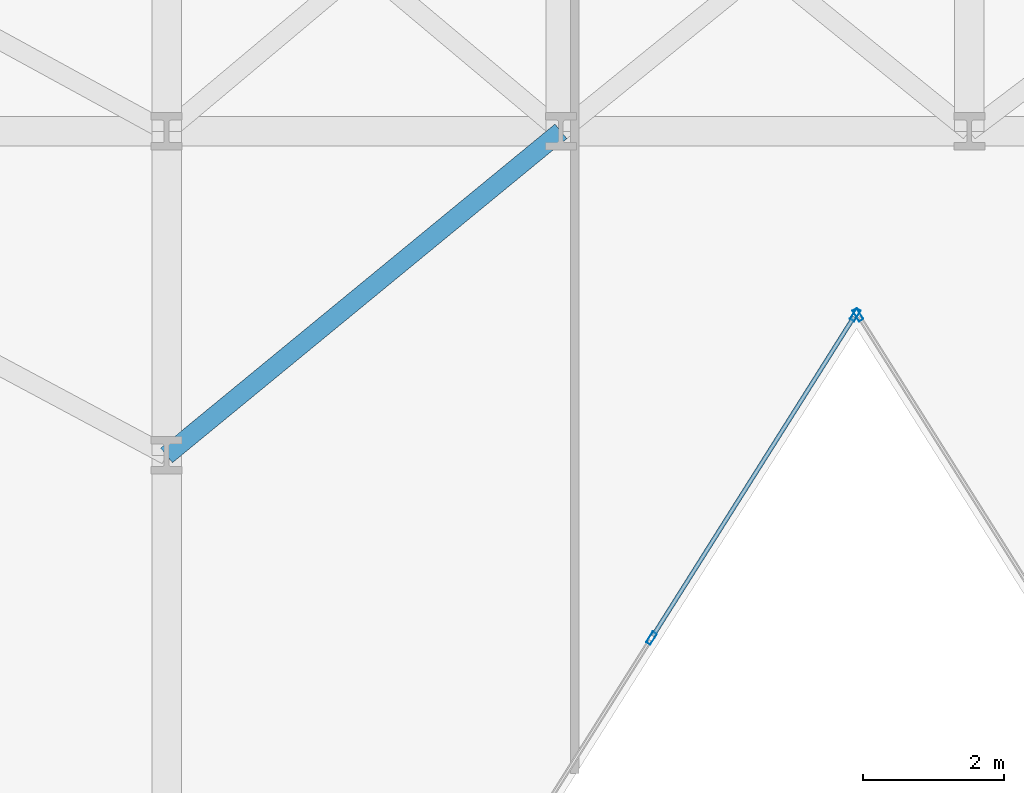
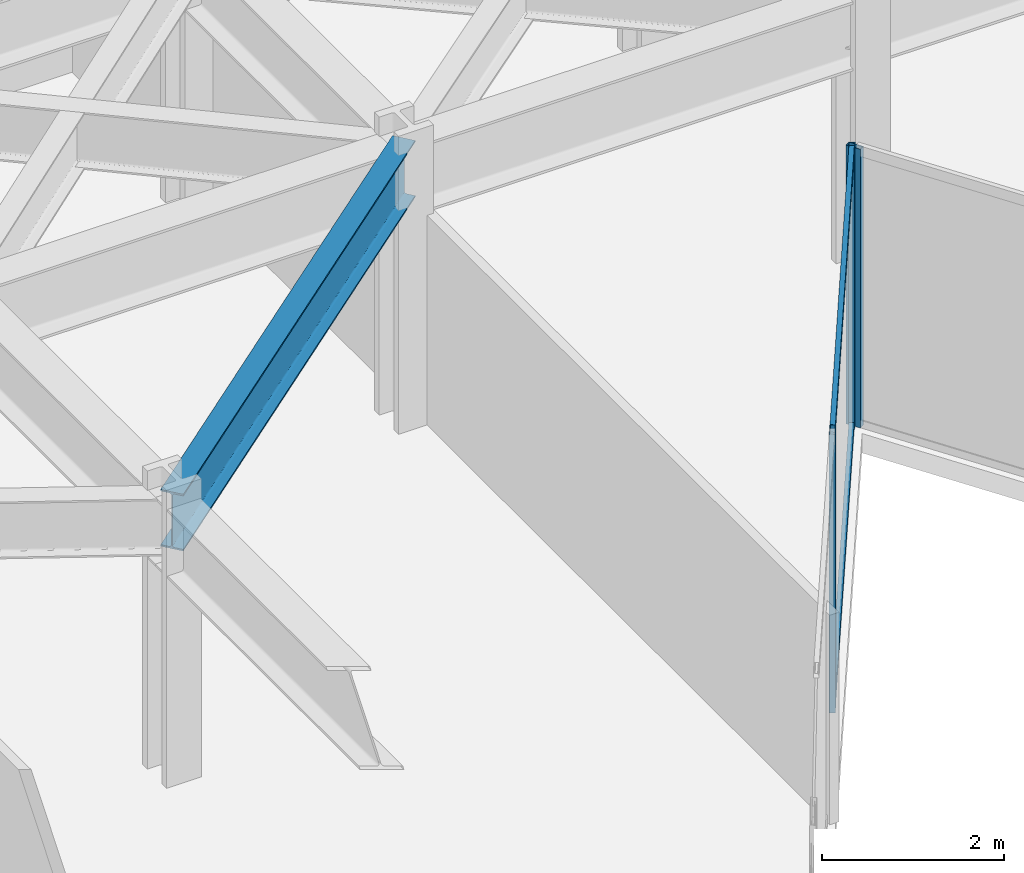
# One storey, part 10 of 24: 5 members, 1 beam, 2 elements without a shape of their own.
"""IFC4 building model written with IfcOpenShell, lengths in metres."""

from ifc_helpers import new_model, si_unit, direction, frame, origin, origin_2d, place, context, subcontext, project, spatial, hollow_rectangle, i_section, extrude, material, layer, layer_set, material_profile, profile_set, type_object, element, aggregate, save


model = new_model("IFC4")

# Units and contexts
model_context = context("Model", 3, precision=1e-05, world=origin(), true_north=direction((0.0, 1.0)))
body_context = subcontext(model_context, "Body", "Model", "MODEL_VIEW")
ifc_project = project(units=[si_unit("LENGTHUNIT", "METRE"), si_unit("AREAUNIT", "SQUARE_METRE"), si_unit("VOLUMEUNIT", "CUBIC_METRE"), si_unit("PLANEANGLEUNIT", "RADIAN"), si_unit("MASSUNIT", "GRAM", prefix="KILO")], contexts=[model_context])

# Site, building, storey
site_placement = place(None, origin())
site = spatial("IfcSite", under=ifc_project, at=site_placement, CompositionType="ELEMENT")
building_placement = place(site_placement, origin())
building = spatial("IfcBuilding", under=site, at=building_placement, Name="Kravanh Interchange Tower", CompositionType="ELEMENT")
storey_placement = place(building_placement, frame((0.0, 0.0, 37.5)))
storey = spatial("IfcBuildingStorey", under=building, at=storey_placement, Name="L08", CompositionType="ELEMENT", Elevation=37.5)

# Curtain wall, member
ifc_material_1 = material(Name="Anodised Bronze Aluminium", Category="aluminium")
ifc_layer = layer(ifc_material_1, 0.179931640625)
ifc_layer_set = layer_set([ifc_layer], Name="Unitised Curtain Wall System CW-Z1 Lower Office")
curtain_wall_type = type_object("IfcCurtainWallType", Name="Unitised Curtain Wall System CW-Z1 Lower Office", PredefinedType="NOTDEFINED", material=ifc_layer_set)
curtain_wall_1_placement = place(storey_placement, origin())
curtain_wall_1 = element("IfcCurtainWall", 1, at=curtain_wall_1_placement, inside=storey, type_object=curtain_wall_type, Name="L08 Unitised Curtain Wall CW-L08-04", PredefinedType="NOTDEFINED")
ifc_material_2 = material(Name="Anodised Bronze Aluminium", Category="aluminium")
ifc_material_profile_1 = material_profile(ifc_material_2, hollow_rectangle(XDim=0.070068359375, YDim=0.179931640625, WallThickness=0.00390625, at=origin_2d()), Name="ALU70X180X4")
ifc_profile_set_1 = profile_set([ifc_material_profile_1], Name="Anodised Bronze Aluminium")
member_type_1 = type_object("IfcMemberType", Name="Curtain Wall Mullion ALU70X180X4 Bronze", PredefinedType="MULLION", material=ifc_profile_set_1)
member_1_placement = place(storey_placement, frame((37.0185546875, 24.1953125, 0.0), z_axis=(0.0, 0.0, 1.0), x_axis=(-0.845925530786, -0.53330103728, 0.0)))
member_1 = element("IfcMember", 2, at=member_1_placement, type_object=member_type_1, Name="CW-Z1 mullion 6", PredefinedType="MULLION", context=body_context, shape_type="SweptSolid", body=[
    extrude(hollow_rectangle(XDim=0.070068359375, YDim=0.179931640625, WallThickness=0.00390625, at=origin_2d()), origin(), (0.0, 0.0, 1.0), 3.739990234375),
])
aggregate(curtain_wall_1, [member_1])

# Curtain wall, members
curtain_wall_2_placement = place(storey_placement, origin())
curtain_wall_2 = element("IfcCurtainWall", 3, at=curtain_wall_2_placement, inside=storey, type_object=curtain_wall_type, Name="L08 Unitised Curtain Wall CW-L08-05", PredefinedType="NOTDEFINED")
member_2_placement = place(storey_placement, frame((36.9814453125, 24.1953125, 0.0), z_axis=(0.0, 0.0, 1.0), x_axis=(0.845925530786, -0.53330103728, 0.0)))
member_2 = element("IfcMember", 4, at=member_2_placement, type_object=member_type_1, Name="CW-Z1 mullion 1", PredefinedType="MULLION", context=body_context, shape_type="SweptSolid", body=[
    extrude(hollow_rectangle(XDim=0.070068359375, YDim=0.179931640625, WallThickness=0.00390625, at=origin_2d()), origin(), (0.0, 0.0, 1.0), 3.739990234375),
])
member_3_placement = place(storey_placement, frame((34.086669921875, 19.60400390625, 0.0), z_axis=(0.0, 0.0, 1.0), x_axis=(0.845925530786, -0.53330103728, 0.0)))
member_3 = element("IfcMember", 5, at=member_3_placement, type_object=member_type_1, Name="CW-Z1 mullion 2", PredefinedType="MULLION", context=body_context, shape_type="SweptSolid", body=[
    extrude(hollow_rectangle(XDim=0.070068359375, YDim=0.179931640625, WallThickness=0.00390625, at=origin_2d()), origin(), (0.0, 0.0, 1.0), 3.739990234375),
])
ifc_material_3 = material(Name="Anodised Bronze Aluminium", Category="aluminium")
ifc_material_profile_2 = material_profile(ifc_material_3, hollow_rectangle(XDim=0.06005859375, YDim=0.139892578125, WallThickness=0.00390625, at=origin_2d()), Name="ALU60X140X4")
ifc_profile_set_2 = profile_set([ifc_material_profile_2], Name="Anodised Bronze Aluminium")
member_type_2 = type_object("IfcMemberType", Name="Curtain Wall Transom ALU60X140X4 Bronze", PredefinedType="USERDEFINED", material=ifc_profile_set_2)
member_4_placement = place(storey_placement, frame((36.962646484375, 24.165771484375, 0.030029296875), z_axis=(-0.533288163518, -0.845933646719, 0.0), x_axis=(0.845933646719, -0.533288163518, 0.0)))
member_4 = element("IfcMember", 6, at=member_4_placement, type_object=member_type_2, Name="CW-Z1 transom 1.1", ObjectType="TRANSOM", PredefinedType="USERDEFINED", context=body_context, shape_type="SweptSolid", body=[
    extrude(hollow_rectangle(XDim=0.06005859375, YDim=0.139892578125, WallThickness=0.00390625, at=origin_2d()), origin(), (0.0, 0.0, 1.0), 5.357666015625),
])
member_5_placement = place(storey_placement, frame((36.962646484375, 24.165771484375, 3.7099609375), z_axis=(-0.533288163518, -0.845933646719, 0.0), x_axis=(0.845933646719, -0.533288163518, 0.0)))
member_5 = element("IfcMember", 7, at=member_5_placement, type_object=member_type_2, Name="CW-Z1 transom 1.2", ObjectType="TRANSOM", PredefinedType="USERDEFINED", context=body_context, shape_type="SweptSolid", body=[
    extrude(hollow_rectangle(XDim=0.06005859375, YDim=0.139892578125, WallThickness=0.00390625, at=origin_2d()), origin(), (0.0, 0.0, 1.0), 5.357666015625),
])
aggregate(curtain_wall_2, [member_2, member_3, member_4, member_5])

# Beam
ifc_material_4 = material(Name="Structural Steel S355", Category="steel")
ifc_material_profile_3 = material_profile(ifc_material_4, i_section(OverallWidth=0.26708984375, OverallDepth=0.761962890625, WebThickness=0.014404296875, FlangeThickness=0.021484375, FilletRadius=0.02490234375, at=origin_2d()), Name="W30X116")
ifc_profile_set_3 = profile_set([ifc_material_profile_3], Name="Structural Steel S355")
beam_type = type_object("IfcBeamType", Name="Floor Spandrel W30X116 Structural Steel S355", PredefinedType="SPANDREL", material=ifc_profile_set_3)
beam_placement = place(storey_placement, frame((27.199951171875, 22.199951171875, 3.35888671875), z_axis=(0.772725074305, 0.634740860147, 0.0), x_axis=(-0.634740860147, 0.772725074305, 0.0)))
element("IfcBeam", 8, at=beam_placement, inside=storey, type_object=beam_type, Name="L08 Perimeter Spandrel 55", PredefinedType="SPANDREL", context=body_context, shape_type="SweptSolid", body=[
    extrude(i_section(OverallWidth=0.26708984375, OverallDepth=0.761962890625, WebThickness=0.014404296875, FlangeThickness=0.021484375, FilletRadius=0.02490234375, at=origin_2d()), origin(), (0.0, 0.0, 1.0), 7.247314453125),
])

save(model, "model.ifc")
